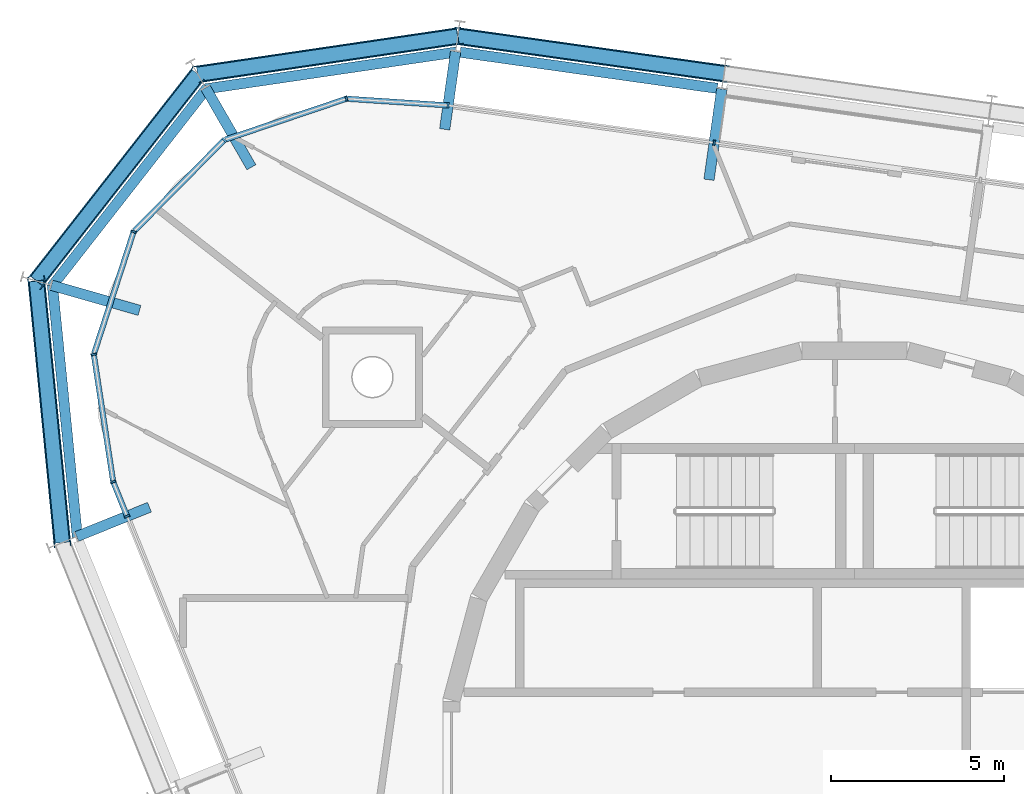
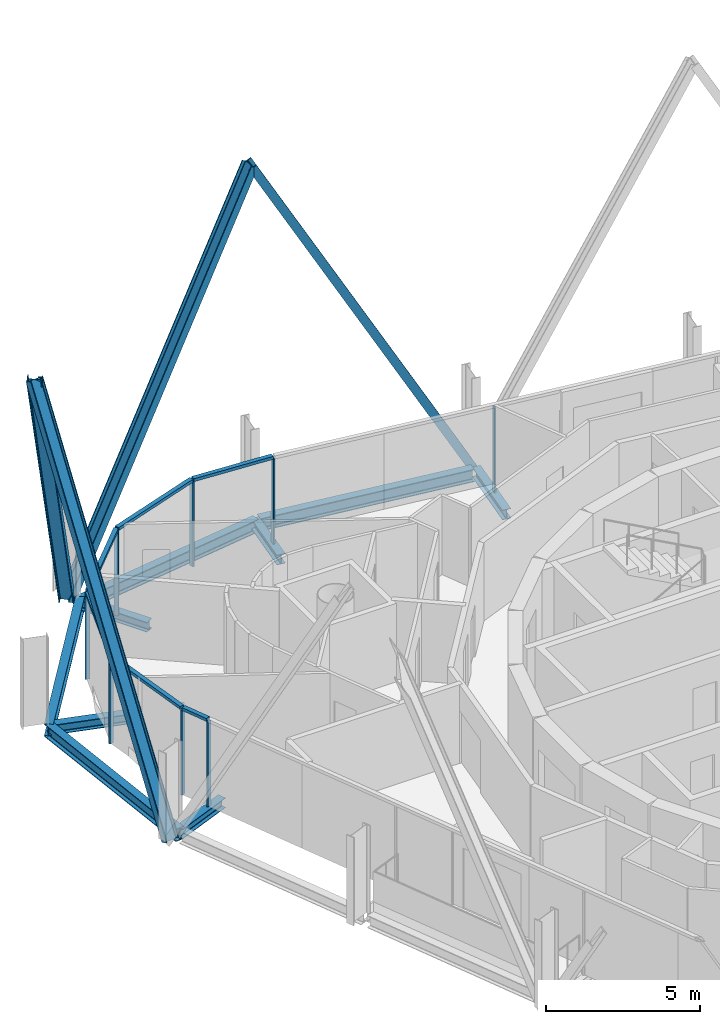
# One storey, part 5 of 15: 18 members, 9 beams, 3 elements without a shape of their own.
"""IFC4 building model written with IfcOpenShell, lengths in metres."""

from ifc_helpers import new_model, si_unit, direction, frame, origin, origin_2d, place, context, subcontext, project, spatial, rectangle, i_section, extrude, material, layer, layer_set, material_profile, profile_set, type_object, element, aggregate, save


model = new_model("IFC4")

# Units and contexts
model_context = context("Model", 3, precision=1e-05, world=origin(), true_north=direction((0.0, 1.0)))
body_context = subcontext(model_context, "Body", "Model", "MODEL_VIEW")
ifc_project = project(units=[si_unit("LENGTHUNIT", "METRE"), si_unit("AREAUNIT", "SQUARE_METRE"), si_unit("VOLUMEUNIT", "CUBIC_METRE"), si_unit("PLANEANGLEUNIT", "RADIAN"), si_unit("MASSUNIT", "GRAM", prefix="KILO")], contexts=[model_context])

# Site, building, storey
site_placement = place(None, origin())
site = spatial("IfcSite", under=ifc_project, at=site_placement, CompositionType="ELEMENT")
building_placement = place(site_placement, origin())
building = spatial("IfcBuilding", under=site, at=building_placement, Name="Spindle Arch Residences", CompositionType="ELEMENT")
storey_placement = place(building_placement, frame((0.0, 0.0, 347.0)))
storey = spatial("IfcBuildingStorey", under=building, at=storey_placement, Name="L89", CompositionType="ELEMENT", Elevation=347.0)

# Curtain wall, member
ifc_material_1 = material(Name="Aluminium bronze unitised frame with tinted glass", Category="aluminium")
ifc_layer_1 = layer(ifc_material_1, 0.159912109375)
ifc_layer_set_1 = layer_set([ifc_layer_1], Name="CW-C typical residential unitised wall")
curtain_wall_type_1 = type_object("IfcCurtainWallType", Name="CW-C typical residential unitised wall", PredefinedType="NOTDEFINED", material=ifc_layer_set_1)
curtain_wall_1_placement = place(storey_placement, origin())
curtain_wall_1 = element("IfcCurtainWall", 1, at=curtain_wall_1_placement, inside=storey, type_object=curtain_wall_type_1, Name="CW-C L89 run 2", PredefinedType="NOTDEFINED")
ifc_material_2 = material(Name="Aluminium bronze anodised mullion", Category="aluminium")
ifc_material_profile_1 = material_profile(ifc_material_2, rectangle(XDim=0.159912109375, YDim=0.06005859375, at=origin_2d()), Name="MU 60x160")
ifc_profile_set_1 = profile_set([ifc_material_profile_1], Name="Aluminium bronze anodised mullion")
member_type_1 = type_object("IfcMemberType", Name="Bronze mullion 60x160", PredefinedType="MULLION", material=ifc_profile_set_1)
member_1_placement = place(storey_placement, frame((-4.0537109375, 17.654296875, -0.3798828125), z_axis=(0.0, 0.0, 1.0), x_axis=(-0.13917310096, -0.990268068742, 0.0)))
member_1 = element("IfcMember", 2, at=member_1_placement, type_object=member_type_1, Name="CW-C mullion 07", PredefinedType="MULLION", context=body_context, shape_type="SweptSolid", body=[
    extrude(rectangle(XDim=0.159912109375, YDim=0.06005859375, at=origin_2d()), origin(), (0.0, 0.0, 1.0), 3.3798828125),
])
aggregate(curtain_wall_1, [member_1])

# Curtain wall, members
ifc_material_3 = material(Name="Aluminium bronze unitised frame with tinted glass", Category="aluminium")
ifc_layer_2 = layer(ifc_material_3, 0.159912109375)
ifc_layer_set_2 = layer_set([ifc_layer_2], Name="CW-D corner wall on the fillet arcs")
curtain_wall_type_2 = type_object("IfcCurtainWallType", Name="CW-D corner wall on the fillet arcs", PredefinedType="NOTDEFINED", material=ifc_layer_set_2)
curtain_wall_2_placement = place(storey_placement, origin())
curtain_wall_2 = element("IfcCurtainWall", 3, at=curtain_wall_2_placement, inside=storey, type_object=curtain_wall_type_2, Name="CW-D L89 run 3", PredefinedType="NOTDEFINED")
member_2_placement = place(storey_placement, frame((-11.74365234375, 18.735107421875, -0.3798828125), z_axis=(0.0, 0.0, 1.0), x_axis=(-0.065509719587, -0.99785193122, 0.0)))
member_2 = element("IfcMember", 4, at=member_2_placement, type_object=member_type_1, Name="CW-D mullion 00", PredefinedType="MULLION", context=body_context, shape_type="SweptSolid", body=[
    extrude(rectangle(XDim=0.159912109375, YDim=0.06005859375, at=origin_2d()), origin(), (0.0, 0.0, 1.0), 3.3798828125),
])
member_3_placement = place(storey_placement, frame((-14.6806640625, 18.927978515625, -0.3798828125), z_axis=(0.0, 0.0, 1.0), x_axis=(0.320061877599, -0.947396640541, 0.0)))
member_3 = element("IfcMember", 5, at=member_3_placement, type_object=member_type_1, Name="CW-D mullion 01", PredefinedType="MULLION", context=body_context, shape_type="SweptSolid", body=[
    extrude(rectangle(XDim=0.159912109375, YDim=0.06005859375, at=origin_2d()), origin(), (0.0, 0.0, 1.0), 3.3798828125),
])
member_4_placement = place(storey_placement, frame((-18.211181640625, 17.735107421875, -0.3798828125), z_axis=(0.0, 0.0, 1.0), x_axis=(0.711208574043, -0.702981055369, 0.0)))
member_4 = element("IfcMember", 6, at=member_4_placement, type_object=member_type_1, Name="CW-D mullion 02", PredefinedType="MULLION", context=body_context, shape_type="SweptSolid", body=[
    extrude(rectangle(XDim=0.159912109375, YDim=0.06005859375, at=origin_2d()), origin(), (0.0, 0.0, 1.0), 3.3798828125),
])
member_5_placement = place(storey_placement, frame((-20.8310546875, 15.084716796875, -0.3798828125), z_axis=(0.0, 0.0, 1.0), x_axis=(0.951056517498, -0.309016990673, 0.0)))
member_5 = element("IfcMember", 7, at=member_5_placement, type_object=member_type_1, Name="CW-D mullion 03", PredefinedType="MULLION", context=body_context, shape_type="SweptSolid", body=[
    extrude(rectangle(XDim=0.159912109375, YDim=0.06005859375, at=origin_2d()), origin(), (0.0, 0.0, 1.0), 3.3798828125),
])
member_6_placement = place(storey_placement, frame((-21.982666015625, 11.540283203125, -0.3798828125), z_axis=(0.0, 0.0, 1.0), x_axis=(0.988581718471, 0.150685718984, 0.0)))
member_6 = element("IfcMember", 8, at=member_6_placement, type_object=member_type_1, Name="CW-D mullion 04", PredefinedType="MULLION", context=body_context, shape_type="SweptSolid", body=[
    extrude(rectangle(XDim=0.159912109375, YDim=0.06005859375, at=origin_2d()), origin(), (0.0, 0.0, 1.0), 3.3798828125),
])
member_7_placement = place(storey_placement, frame((-21.421142578125, 7.856201171875, -0.3798828125), z_axis=(0.0, 0.0, 1.0), x_axis=(0.927183854567, 0.374606593416, 0.0)))
member_7 = element("IfcMember", 9, at=member_7_placement, type_object=member_type_1, Name="CW-D mullion 05", PredefinedType="MULLION", context=body_context, shape_type="SweptSolid", body=[
    extrude(rectangle(XDim=0.159912109375, YDim=0.06005859375, at=origin_2d()), origin(), (0.0, 0.0, 1.0), 3.3798828125),
])

# Curtain wall, member
curtain_wall_3_placement = place(storey_placement, origin())
curtain_wall_3 = element("IfcCurtainWall", 10, at=curtain_wall_3_placement, inside=storey, type_object=curtain_wall_type_1, Name="CW-C L89 run 4", PredefinedType="NOTDEFINED")
member_8_placement = place(storey_placement, frame((-21.019775390625, 6.862548828125, -0.3798828125), z_axis=(0.0, 0.0, 1.0), x_axis=(0.927183854567, 0.374606593416, 0.0)))
member_8 = element("IfcMember", 11, at=member_8_placement, type_object=member_type_1, Name="CW-C mullion 11", PredefinedType="MULLION", context=body_context, shape_type="SweptSolid", body=[
    extrude(rectangle(XDim=0.159912109375, YDim=0.06005859375, at=origin_2d()), origin(), (0.0, 0.0, 1.0), 3.3798828125),
])
aggregate(curtain_wall_3, [member_8])

# Member
ifc_material_4 = material(Name="Aluminium bronze anodised transom", Category="aluminium")
ifc_material_profile_2 = material_profile(ifc_material_4, rectangle(XDim=0.159912109375, YDim=0.1201171875, at=origin_2d()), Name="TR 120x160")
ifc_profile_set_2 = profile_set([ifc_material_profile_2], Name="Aluminium bronze anodised transom")
member_type_2 = type_object("IfcMemberType", Name="Bronze transom 120x160", PredefinedType="USERDEFINED", material=ifc_profile_set_2)
member_9_placement = place(storey_placement, frame((-11.773681640625, 18.737060546875, 3.06005859375), z_axis=(-0.997849873477, 0.065541055844, 0.0), x_axis=(-0.065541055844, -0.997849873477, 0.0)))
member_9 = element("IfcMember", 12, at=member_9_placement, type_object=member_type_2, Name="CW-D transom 00", ObjectType="TRANSOM", PredefinedType="USERDEFINED", context=body_context, shape_type="SweptSolid", body=[
    extrude(rectangle(XDim=0.159912109375, YDim=0.1201171875, at=origin_2d()), origin(), (0.0, 0.0, 1.0), 2.883056640625),
])

member_10_placement = place(storey_placement, frame((-14.708984375, 18.91845703125, 3.06005859375), z_axis=(-0.94739716915, -0.320060312889, 0.0), x_axis=(0.320060312889, -0.94739716915, 0.0)))
member_10 = element("IfcMember", 13, at=member_10_placement, type_object=member_type_2, Name="CW-D transom 01", ObjectType="TRANSOM", PredefinedType="USERDEFINED", context=body_context, shape_type="SweptSolid", body=[
    extrude(rectangle(XDim=0.159912109375, YDim=0.1201171875, at=origin_2d()), origin(), (0.0, 0.0, 1.0), 3.666748046875),
])

member_11_placement = place(storey_placement, frame((-18.232421875, 17.7138671875, 3.06005859375), z_axis=(-0.702966683093, -0.711222779769, 0.0), x_axis=(0.711222779769, -0.702966683093, 0.0)))
member_11 = element("IfcMember", 14, at=member_11_placement, type_object=member_type_2, Name="CW-D transom 02", ObjectType="TRANSOM", PredefinedType="USERDEFINED", context=body_context, shape_type="SweptSolid", body=[
    extrude(rectangle(XDim=0.159912109375, YDim=0.1201171875, at=origin_2d()), origin(), (0.0, 0.0, 1.0), 3.666748046875),
])

member_12_placement = place(storey_placement, frame((-20.84033203125, 15.05615234375, 3.06005859375), z_axis=(-0.309007783623, -0.951059509001, 0.0), x_axis=(0.951059509001, -0.309007783623, 0.0)))
member_12 = element("IfcMember", 15, at=member_12_placement, type_object=member_type_2, Name="CW-D transom 03", ObjectType="TRANSOM", PredefinedType="USERDEFINED", context=body_context, shape_type="SweptSolid", body=[
    extrude(rectangle(XDim=0.159912109375, YDim=0.1201171875, at=origin_2d()), origin(), (0.0, 0.0, 1.0), 3.666748046875),
])

member_13_placement = place(storey_placement, frame((-21.978271484375, 11.5107421875, 3.06005859375), z_axis=(0.150671164407, -0.988583936859, 0.0), x_axis=(0.988583936859, 0.150671164407, 0.0)))
member_13 = element("IfcMember", 16, at=member_13_placement, type_object=member_type_2, Name="CW-D transom 04", ObjectType="TRANSOM", PredefinedType="USERDEFINED", context=body_context, shape_type="SweptSolid", body=[
    extrude(rectangle(XDim=0.159912109375, YDim=0.1201171875, at=origin_2d()), origin(), (0.0, 0.0, 1.0), 3.666748046875),
])

member_14_placement = place(storey_placement, frame((-21.409912109375, 7.828369140625, 3.06005859375), z_axis=(0.374550833754, -0.927206380982, 0.0), x_axis=(0.927206380982, 0.374550833754, 0.0)))
member_14 = element("IfcMember", 17, at=member_14_placement, type_object=member_type_2, Name="CW-D transom 05", ObjectType="TRANSOM", PredefinedType="USERDEFINED", context=body_context, shape_type="SweptSolid", body=[
    extrude(rectangle(XDim=0.159912109375, YDim=0.1201171875, at=origin_2d()), origin(), (0.0, 0.0, 1.0), 1.01171875),
])

aggregate(curtain_wall_2, [member_2, member_9, member_3, member_10, member_4, member_11, member_5, member_12, member_6, member_13, member_7, member_14])

# Members
ifc_material_5 = material(Name="Steel S460ML, intumescent coating R 240", Category="steel")
ifc_material_profile_3 = material_profile(ifc_material_5, i_section(OverallWidth=0.300048828125, OverallDepth=0.5, WebThickness=0.014404296875, FlangeThickness=0.028076171875, FilletRadius=0.027099609375, at=origin_2d()), Name="HEB 500")
ifc_profile_set_3 = profile_set([ifc_material_profile_3], Name="Steel S460ML, intumescent coating R 240")
member_type_3 = type_object("IfcMemberType", Name="Diagrid diagonal HEB 500", PredefinedType="BRACE", material=ifc_profile_set_3)
member_15_placement = place(storey_placement, frame((-3.772705078125, 19.65478515625, -0.6298828125), z_axis=(-0.480336831704, 0.067510672232, 0.874482039406), x_axis=(0.865970712775, -0.121710976743, 0.485057896293)))
element("IfcMember", 18, at=member_15_placement, inside=storey, type_object=member_type_3, Name="Diagrid diagonal 9.2.8", PredefinedType="BRACE", context=body_context, shape_type="SweptSolid", body=[
    extrude(i_section(OverallWidth=0.300048828125, OverallDepth=0.5, WebThickness=0.014404296875, FlangeThickness=0.028076171875, FilletRadius=0.027099609375, at=origin_2d()), origin(), (0.0, 0.0, 1.0), 16.009521484375),
])
member_16_placement = place(storey_placement, frame((-18.9755859375, 19.632080078125, -0.6298828125), z_axis=(0.471717705714, 0.069286843331, 0.879023173447), x_axis=(-0.869691729219, -0.127742066619, 0.476779047928)))
element("IfcMember", 19, at=member_16_placement, inside=storey, type_object=member_type_3, Name="Diagrid diagonal 9.2.9", PredefinedType="BRACE", context=body_context, shape_type="SweptSolid", body=[
    extrude(i_section(OverallWidth=0.300048828125, OverallDepth=0.5, WebThickness=0.014404296875, FlangeThickness=0.028076171875, FilletRadius=0.027099609375, at=origin_2d()), origin(), (0.0, 0.0, 1.0), 15.9267578125),
])
member_17_placement = place(storey_placement, frame((-18.9755859375, 19.632080078125, -0.6298828125), z_axis=(-0.293000708733, -0.375023729583, 0.879492914657), x_axis=(0.541469973324, 0.693049821384, 0.475911980379)))
element("IfcMember", 20, at=member_17_placement, inside=storey, type_object=member_type_3, Name="Diagrid diagonal 9.2.10", PredefinedType="BRACE", context=body_context, shape_type="SweptSolid", body=[
    extrude(i_section(OverallWidth=0.300048828125, OverallDepth=0.5, WebThickness=0.014404296875, FlangeThickness=0.028076171875, FilletRadius=0.027099609375, at=origin_2d()), origin(), (0.0, 0.0, 1.0), 15.918212890625),
])
member_18_placement = place(storey_placement, frame((-22.892578125, 6.105712890625, -0.6298828125), z_axis=(-0.046906679113, 0.474462592125, 0.879025034984), x_axis=(0.086481237457, -0.874760543061, 0.476775615852)))
element("IfcMember", 21, at=member_18_placement, inside=storey, type_object=member_type_3, Name="Diagrid diagonal 9.2.11", PredefinedType="BRACE", context=body_context, shape_type="SweptSolid", body=[
    extrude(i_section(OverallWidth=0.300048828125, OverallDepth=0.5, WebThickness=0.014404296875, FlangeThickness=0.028076171875, FilletRadius=0.027099609375, at=origin_2d()), origin(), (0.0, 0.0, 1.0), 15.9267578125),
])

# Beams
ifc_material_6 = material(Name="Steel S460ML, intumescent coating R 120", Category="steel")
ifc_material_profile_4 = material_profile(ifc_material_6, i_section(OverallWidth=0.300048828125, OverallDepth=0.5, WebThickness=0.014404296875, FlangeThickness=0.028076171875, FilletRadius=0.027099609375, at=origin_2d()), Name="HEB 500")
ifc_profile_set_4 = profile_set([ifc_material_profile_4], Name="Steel S460ML, intumescent coating R 120")
beam_type_1 = type_object("IfcBeamType", Name="Exoskeleton edge beam HEB 500", PredefinedType="BEAM", material=ifc_profile_set_4)
beam_1_placement = place(storey_placement, frame((-3.964111328125, 19.227294921875, -0.6298828125), z_axis=(-0.990270241249, 0.13915764189, 0.0), x_axis=(-0.13915764189, -0.990270241249, 0.0)))
element("IfcBeam", 22, at=beam_1_placement, inside=storey, type_object=beam_type_1, Name="Exoskeleton edge beam 8", PredefinedType="BEAM", context=body_context, shape_type="SweptSolid", body=[
    extrude(i_section(OverallWidth=0.300048828125, OverallDepth=0.5, WebThickness=0.014404296875, FlangeThickness=0.028076171875, FilletRadius=0.027099609375, at=origin_2d()), origin(), (0.0, 0.0, 1.0), 7.50537109375),
])
beam_2_placement = place(storey_placement, frame((-11.505615234375, 20.27490234375, -0.6298828125), z_axis=(-0.989384491355, -0.145321465266, 0.0), x_axis=(0.145321465266, -0.989384491355, 0.0)))
element("IfcBeam", 23, at=beam_2_placement, inside=storey, type_object=beam_type_1, Name="Exoskeleton edge beam 9", PredefinedType="BEAM", context=body_context, shape_type="SweptSolid", body=[
    extrude(i_section(OverallWidth=0.300048828125, OverallDepth=0.5, WebThickness=0.014404296875, FlangeThickness=0.028076171875, FilletRadius=0.027099609375, at=origin_2d()), origin(), (0.0, 0.0, 1.0), 7.333251953125),
])
beam_3_placement = place(storey_placement, frame((-18.700927734375, 19.252685546875, -0.6298828125), z_axis=(-0.615671888322, -0.788002617971, 0.0), x_axis=(0.788002617971, -0.615671888322, 0.0)))
element("IfcBeam", 24, at=beam_3_placement, inside=storey, type_object=beam_type_1, Name="Exoskeleton edge beam 10", PredefinedType="BEAM", context=body_context, shape_type="SweptSolid", body=[
    extrude(i_section(OverallWidth=0.300048828125, OverallDepth=0.5, WebThickness=0.014404296875, FlangeThickness=0.028076171875, FilletRadius=0.027099609375, at=origin_2d()), origin(), (0.0, 0.0, 1.0), 7.31591796875),
])
beam_4_placement = place(storey_placement, frame((-23.177490234375, 13.556640625, -0.6298828125), z_axis=(0.098376359096, -0.995149281249, 0.0), x_axis=(0.995149281249, 0.098376359096, 0.0)))
element("IfcBeam", 25, at=beam_4_placement, inside=storey, type_object=beam_type_1, Name="Exoskeleton edge beam 11", PredefinedType="BEAM", context=body_context, shape_type="SweptSolid", body=[
    extrude(i_section(OverallWidth=0.300048828125, OverallDepth=0.5, WebThickness=0.014404296875, FlangeThickness=0.028076171875, FilletRadius=0.027099609375, at=origin_2d()), origin(), (0.0, 0.0, 1.0), 7.33349609375),
])
ifc_material_7 = material(Name="Steel S460ML, intumescent coating R 120", Category="steel")
ifc_material_profile_5 = material_profile(ifc_material_7, i_section(OverallWidth=0.300048828125, OverallDepth=0.389892578125, WebThickness=0.010986328125, FlangeThickness=0.01904296875, FilletRadius=0.027099609375, at=origin_2d()), Name="HEA 400")
ifc_profile_set_5 = profile_set([ifc_material_profile_5], Name="Steel S460ML, intumescent coating R 120")
beam_type_2 = type_object("IfcBeamType", Name="Floor outrigger HEA 400", PredefinedType="BEAM", material=ifc_profile_set_5)
beam_5_placement = place(storey_placement, frame((-3.835205078125, 19.208984375, -0.574951171875), z_axis=(-0.139215304089, -0.990262136562, 0.0), x_axis=(0.990262136562, -0.139215304089, 0.0)))
element("IfcBeam", 26, at=beam_5_placement, inside=storey, type_object=beam_type_2, Name="Floor outrigger 8", PredefinedType="BEAM", context=body_context, shape_type="SweptSolid", body=[
    extrude(i_section(OverallWidth=0.300048828125, OverallDepth=0.389892578125, WebThickness=0.010986328125, FlangeThickness=0.01904296875, FilletRadius=0.027099609375, at=origin_2d()), origin(), (0.0, 0.0, 1.0), 2.64990234375),
])
beam_6_placement = place(storey_placement, frame((-11.525146484375, 20.289794921875, -0.574951171875), z_axis=(-0.139236695956, -0.990259128965, 0.0), x_axis=(0.990259128965, -0.139236695956, 0.0)))
element("IfcBeam", 27, at=beam_6_placement, inside=storey, type_object=beam_type_2, Name="Floor outrigger 9", PredefinedType="BEAM", context=body_context, shape_type="SweptSolid", body=[
    extrude(i_section(OverallWidth=0.300048828125, OverallDepth=0.389892578125, WebThickness=0.010986328125, FlangeThickness=0.01904296875, FilletRadius=0.027099609375, at=origin_2d()), origin(), (0.0, 0.0, 1.0), 2.26904296875),
])
beam_7_placement = place(storey_placement, frame((-18.750732421875, 19.2421875, -0.574951171875), z_axis=(0.49963737375, -0.866234664945, 0.0), x_axis=(0.866234664945, 0.49963737375, 0.0)))
element("IfcBeam", 28, at=beam_7_placement, inside=storey, type_object=beam_type_2, Name="Floor outrigger 10", PredefinedType="BEAM", context=body_context, shape_type="SweptSolid", body=[
    extrude(i_section(OverallWidth=0.300048828125, OverallDepth=0.389892578125, WebThickness=0.010986328125, FlangeThickness=0.01904296875, FilletRadius=0.027099609375, at=origin_2d()), origin(), (0.0, 0.0, 1.0), 2.64990234375),
])
beam_8_placement = place(storey_placement, frame((-23.20703125, 13.53857421875, -0.574951171875), z_axis=(0.961395217741, -0.275171283575, 0.0), x_axis=(0.275171283575, 0.961395217741, 0.0)))
element("IfcBeam", 29, at=beam_8_placement, inside=storey, type_object=beam_type_2, Name="Floor outrigger 11", PredefinedType="BEAM", context=body_context, shape_type="SweptSolid", body=[
    extrude(i_section(OverallWidth=0.300048828125, OverallDepth=0.389892578125, WebThickness=0.010986328125, FlangeThickness=0.01904296875, FilletRadius=0.027099609375, at=origin_2d()), origin(), (0.0, 0.0, 1.0), 2.650146484375),
])
beam_9_placement = place(storey_placement, frame((-22.475341796875, 6.2744140625, -0.574951171875), z_axis=(0.927202315329, 0.374560898185, 0.0), x_axis=(-0.374560898185, 0.927202315329, 0.0)))
element("IfcBeam", 30, at=beam_9_placement, inside=storey, type_object=beam_type_2, Name="Floor outrigger 12", PredefinedType="BEAM", context=body_context, shape_type="SweptSolid", body=[
    extrude(i_section(OverallWidth=0.300048828125, OverallDepth=0.389892578125, WebThickness=0.010986328125, FlangeThickness=0.01904296875, FilletRadius=0.027099609375, at=origin_2d()), origin(), (0.0, 0.0, 1.0), 2.26904296875),
])

save(model, "model.ifc")
